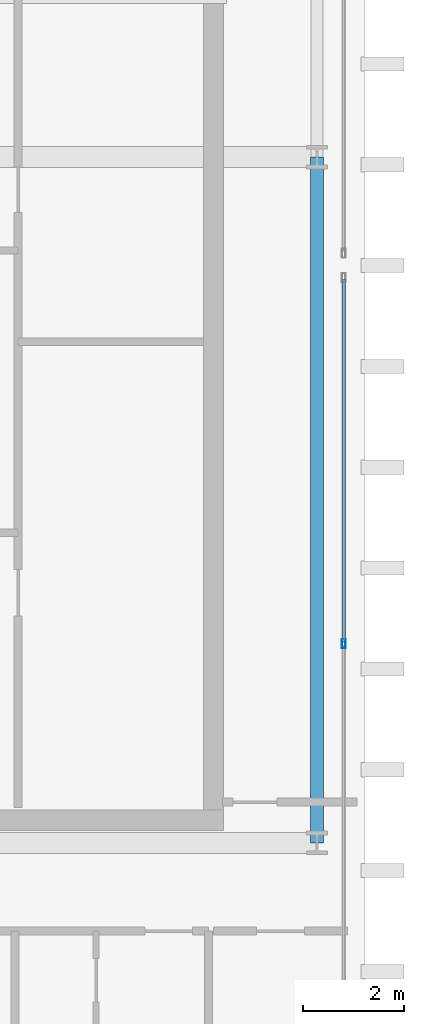
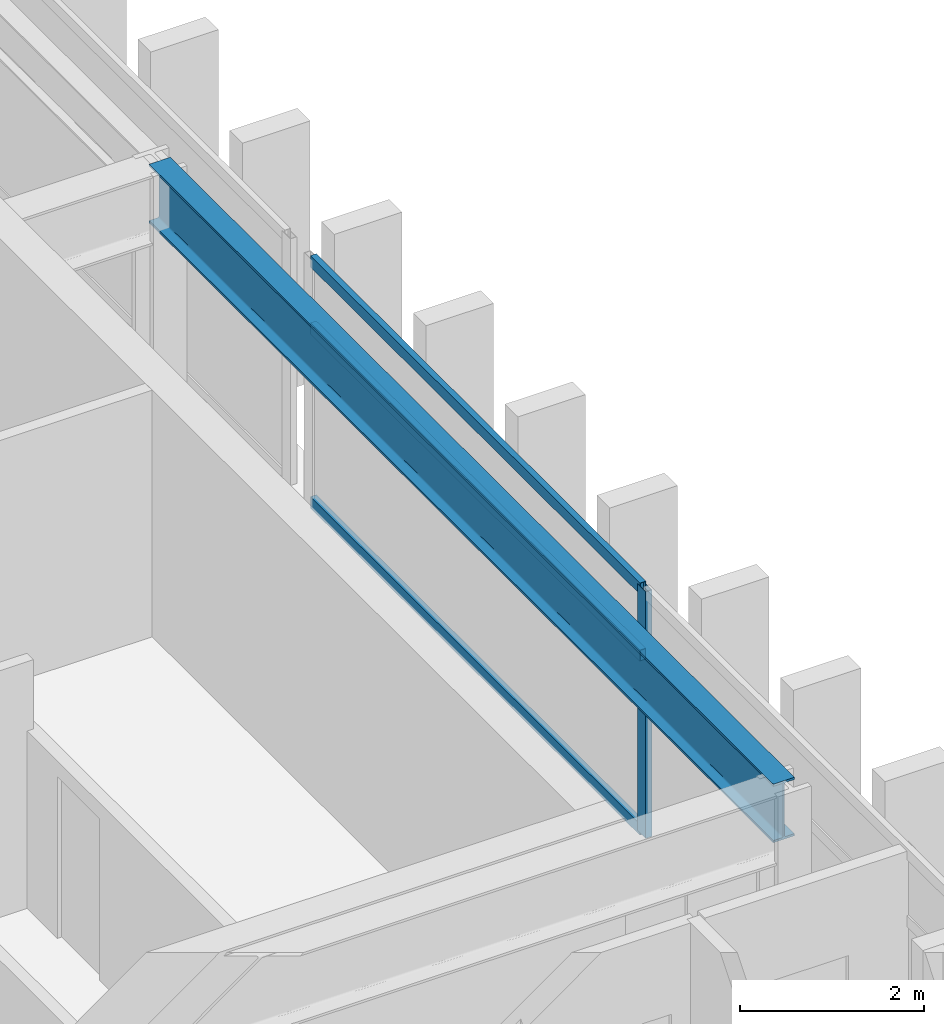
# One storey, part 13 of 28: 4 members, 1 beam, 1 element without a shape of its own.
"""IFC4 building model written with IfcOpenShell, lengths in metres."""

from ifc_helpers import new_model, si_unit, direction, frame, origin, origin_2d, place, context, subcontext, project, spatial, hollow_rectangle, i_section, extrude, source, transform, mapped, material, layer, layer_set, material_profile, profile_set, type_object, element, aggregate, save


model = new_model("IFC4")

# Units and contexts
model_context = context("Model", 3, precision=1e-05, world=origin(), true_north=direction((0.0, 1.0)))
body_context = subcontext(model_context, "Body", "Model", "MODEL_VIEW")
ifc_project = project(units=[si_unit("LENGTHUNIT", "METRE"), si_unit("AREAUNIT", "SQUARE_METRE"), si_unit("VOLUMEUNIT", "CUBIC_METRE"), si_unit("PLANEANGLEUNIT", "RADIAN"), si_unit("MASSUNIT", "GRAM", prefix="KILO")], contexts=[model_context])

# Site, building, storey
site_placement = place(None, origin())
site = spatial("IfcSite", under=ifc_project, at=site_placement, CompositionType="ELEMENT")
building_placement = place(site_placement, origin())
building = spatial("IfcBuilding", under=site, at=building_placement, Name="Ocotamira Hotel", CompositionType="ELEMENT")
storey_placement = place(building_placement, frame((0.0, 0.0, 268.800048828125)))
storey = spatial("IfcBuildingStorey", under=building, at=storey_placement, Name="L68", CompositionType="ELEMENT", Elevation=268.800048828125)

# Beam
ifc_material_1 = material(Name="Steel ASTM A992 Grade 50", Category="steel")
ifc_material_profile_1 = material_profile(ifc_material_1, i_section(OverallWidth=0.26611328125, OverallDepth=0.779052734375, WebThickness=0.0166015625, FlangeThickness=0.030029296875, FilletRadius=0.01806640625, at=origin_2d()), Name="W30X148")
ifc_profile_set_1 = profile_set([ifc_material_profile_1], Name="Steel ASTM A992 Grade 50")
beam_type = type_object("IfcBeamType", Name="BM-GIRD-W30X148", PredefinedType="BEAM", material=ifc_profile_set_1)
shared_shape_1 = source(origin(), body_context, "Body", "SweptSolid", [
    extrude(i_section(OverallWidth=0.26611328125, OverallDepth=0.779052734375, WebThickness=0.0166015625, FlangeThickness=0.030029296875, FilletRadius=0.01806640625, at=origin_2d()), origin(), (0.0, 0.0, 1.0), 13.599853515625),
])
beam_placement = place(storey_placement, frame((55.050048828125, 14.550048828125, 2.890380859375), z_axis=(0.0, 1.0, 0.0), x_axis=(-1.0, 0.0, 0.0)))
element("IfcBeam", 1, at=beam_placement, inside=storey, type_object=beam_type, Name="L68 Beam X55.05 Y14.55-28.15", PredefinedType="BEAM", context=body_context, shape_type="MappedRepresentation", body=[
    mapped(shared_shape_1, transform((0.0, 0.0, 0.0), scale=1.0)),
])

# Curtain wall, members
ifc_material_2 = material(Name="Anodised pale-metal aluminium and solar glass", Category="aluminium")
ifc_layer = layer(ifc_material_2, 0.2099609375)
ifc_layer_set = layer_set([ifc_layer], Name="Anodised pale-metal aluminium and solar glass")
curtain_wall_type = type_object("IfcCurtainWallType", Name="CW-SYS7-PEAK", PredefinedType="NOTDEFINED", material=ifc_layer_set)
curtain_wall_placement = place(storey_placement, origin())
curtain_wall = element("IfcCurtainWall", 2, at=curtain_wall_placement, inside=storey, type_object=curtain_wall_type, Name="L68 Curtain Wall CW-7 CW-L68-EO1", PredefinedType="NOTDEFINED")
ifc_material_3 = material(Name="Anodised pale-metal aluminium 6063-T6", Category="aluminium")
ifc_material_profile_2 = material_profile(ifc_material_3, hollow_rectangle(XDim=0.080078125, YDim=0.179931640625, WallThickness=0.006103515625, at=origin_2d()), Name="HSS180X80X6")
ifc_profile_set_2 = profile_set([ifc_material_profile_2], Name="Anodised pale-metal aluminium 6063-T6")
member_type_1 = type_object("IfcMemberType", Name="CWM-180X75", PredefinedType="MULLION", material=ifc_profile_set_2)
shared_shape_2 = source(origin(), body_context, "Body", "SweptSolid", [
    extrude(hollow_rectangle(XDim=0.080078125, YDim=0.179931640625, WallThickness=0.006103515625, at=origin_2d()), origin(), (0.0, 0.0, 1.0), 3.280029296875),
])
member_1_placement = place(storey_placement, frame((55.580078125, 18.5, 0.0), z_axis=(0.0, 0.0, 1.0), x_axis=(-1.0, 0.0, 0.0)))
member_1 = element("IfcMember", 3, at=member_1_placement, type_object=member_type_1, Name="CW-7 mullion 2", PredefinedType="MULLION", context=body_context, shape_type="MappedRepresentation", body=[
    mapped(shared_shape_2, transform((0.0, 0.0, 0.0), scale=1.0)),
])
ifc_material_profile_3 = material_profile(ifc_material_3, hollow_rectangle(XDim=0.074951171875, YDim=0.14990234375, WallThickness=0.006103515625, at=origin_2d()), Name="HSS150X75X6")
ifc_profile_set_3 = profile_set([ifc_material_profile_3], Name="Anodised pale-metal aluminium 6063-T6")
member_type_2 = type_object("IfcMemberType", Name="CWT-150X75", PredefinedType="USERDEFINED", material=ifc_profile_set_3)
shared_shape_3 = source(origin(), body_context, "Body", "SweptSolid", [
    extrude(hollow_rectangle(XDim=0.074951171875, YDim=0.14990234375, WallThickness=0.006103515625, at=origin_2d()), origin(), (0.0, 0.0, 1.0), 7.179931640625),
])
member_2_placement = place(storey_placement, frame((55.580078125, 18.5400390625, 0.037353515625), z_axis=(0.0, 1.0, 0.0), x_axis=(-1.0, 0.0, 0.0)))
member_2 = element("IfcMember", 4, at=member_2_placement, type_object=member_type_2, Name="CW-7 transom 2.1", ObjectType="TRANSOM", PredefinedType="USERDEFINED", context=body_context, shape_type="MappedRepresentation", body=[
    mapped(shared_shape_3, transform((0.0, 0.0, 0.0), scale=1.0)),
])
member_3_placement = place(storey_placement, frame((55.580078125, 18.5400390625, 2.349853515625), z_axis=(0.0, 1.0, 0.0), x_axis=(-1.0, 0.0, 0.0)))
member_3 = element("IfcMember", 5, at=member_3_placement, type_object=member_type_2, Name="CW-7 transom 2.2", ObjectType="TRANSOM", PredefinedType="USERDEFINED", context=body_context, shape_type="MappedRepresentation", body=[
    mapped(shared_shape_3, transform((0.0, 0.0, 0.0), scale=1.0)),
])
member_4_placement = place(storey_placement, frame((55.580078125, 18.5400390625, 3.242431640625), z_axis=(0.0, 1.0, 0.0), x_axis=(-1.0, 0.0, 0.0)))
member_4 = element("IfcMember", 6, at=member_4_placement, type_object=member_type_2, Name="CW-7 transom 2.3", ObjectType="TRANSOM", PredefinedType="USERDEFINED", context=body_context, shape_type="MappedRepresentation", body=[
    mapped(shared_shape_3, transform((0.0, 0.0, 0.0), scale=1.0)),
])
aggregate(curtain_wall, [member_1, member_2, member_3, member_4])

save(model, "model.ifc")
